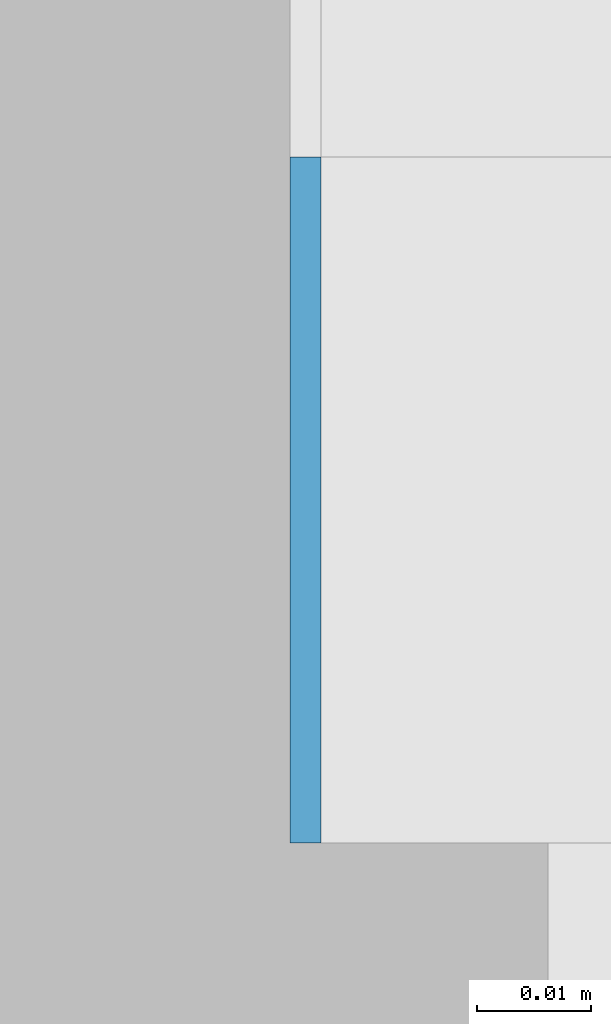
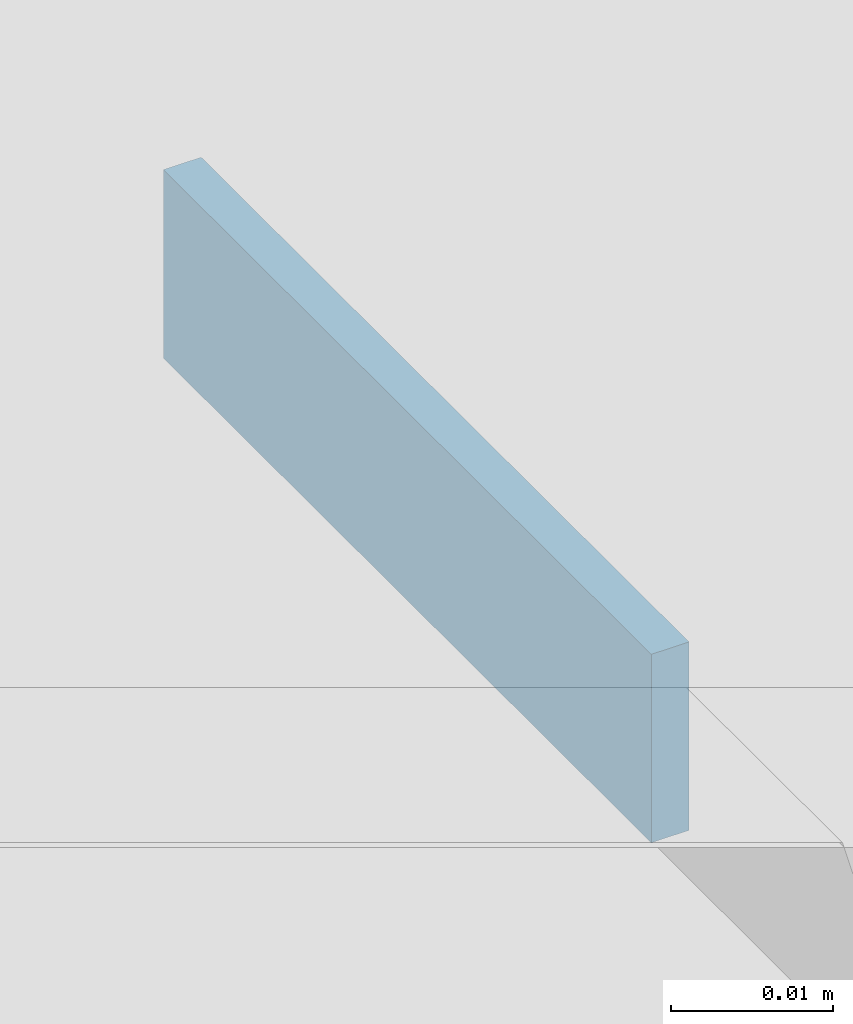
# One storey, part 523 of 646: 1 discrete accessory.
"""IFC4 building model written with IfcOpenShell, lengths in metres."""

from ifc_helpers import new_model, si_unit, direction, frame, origin, origin_2d, place, context, subcontext, project, spatial, rectangle, extrude, material, type_object, element, save


model = new_model("IFC4")

# Units and contexts
model_context = context("Model", 3, precision=1e-05, world=origin(), true_north=direction((0.0, 1.0)))
body_context = subcontext(model_context, "Body", "Model", "MODEL_VIEW")
ifc_project = project(units=[si_unit("LENGTHUNIT", "METRE"), si_unit("AREAUNIT", "SQUARE_METRE"), si_unit("VOLUMEUNIT", "CUBIC_METRE"), si_unit("PLANEANGLEUNIT", "RADIAN"), si_unit("MASSUNIT", "GRAM", prefix="KILO")], contexts=[model_context])

# Site, building, storey
site_placement = place(None, origin())
site = spatial("IfcSite", under=ifc_project, at=site_placement, CompositionType="ELEMENT")
building_placement = place(site_placement, origin())
building = spatial("IfcBuilding", under=site, at=building_placement, Name="Silverbay Arena", CompositionType="ELEMENT")
storey_placement = place(building_placement, frame((0.0, 0.0, 33.5)))
storey = spatial("IfcBuildingStorey", under=building, at=storey_placement, Name="L05", CompositionType="ELEMENT", Elevation=33.5)

# Discrete accessory
ifc_material = material(Name="Steel S355", Category="steel")
discrete_accessory_type = type_object("IfcDiscreteAccessoryType", Name="Steel bracket plate", PredefinedType="BRACKET", material=ifc_material)
discrete_accessory_placement = place(storey_placement, frame((207.128662109375, 80.969970703125, 12.98583984375), z_axis=(0.0, 0.0, 1.0), x_axis=(1.0, 0.0, 0.0)))
element("IfcDiscreteAccessory", 1, at=discrete_accessory_placement, inside=storey, type_object=discrete_accessory_type, Name="Curtain wall packing plate", PredefinedType="BRACKET", context=body_context, shape_type="SweptSolid", body=[
    extrude(rectangle(XDim=0.002685546875, YDim=0.06005859375, at=origin_2d()), origin(), (0.0, 0.0, 1.0), 0.01416015625),
])

save(model, "model.ifc")
